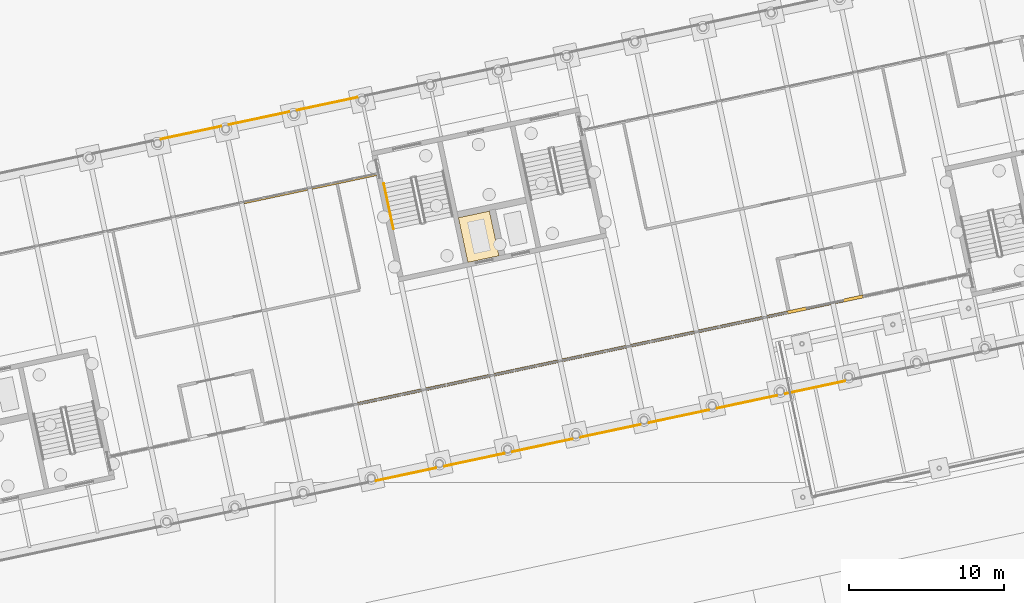
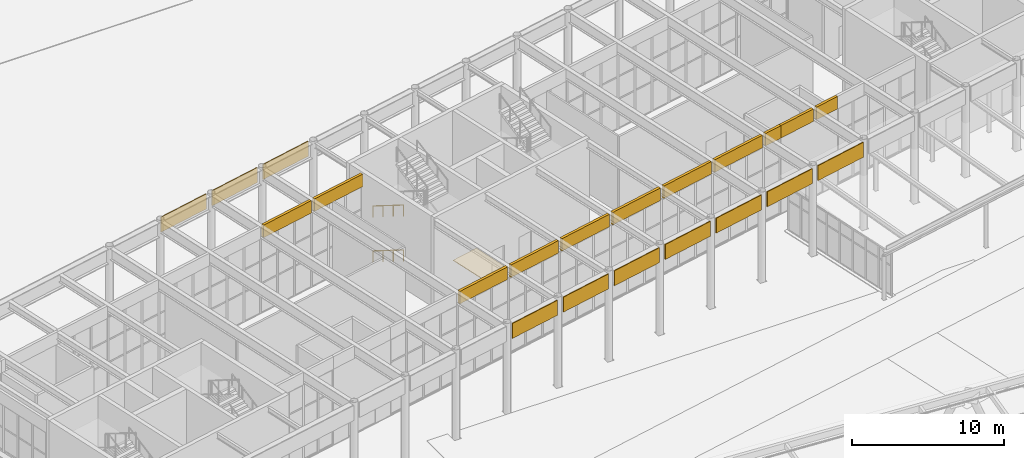
# One storey, part 205 of 239: 22 coverings, 2 railings.
"""IFC4 building model written with IfcOpenShell, lengths in metres."""

from ifc_helpers import new_model, si_unit, direction, frame, origin, origin_2d, place, context, subcontext, project, spatial, polyline, rectangle, circle, outline, extrude, material, layer, layer_set, type_object, element, save


model = new_model("IFC4")

# Units and contexts
model_context = context("Model", 3, precision=1e-05, world=origin(), true_north=direction((0.0, 1.0)))
body_context = subcontext(model_context, "Body", "Model", "MODEL_VIEW")
ifc_project = project(units=[si_unit("LENGTHUNIT", "METRE"), si_unit("AREAUNIT", "SQUARE_METRE"), si_unit("VOLUMEUNIT", "CUBIC_METRE"), si_unit("PLANEANGLEUNIT", "RADIAN"), si_unit("MASSUNIT", "GRAM", prefix="KILO")], contexts=[model_context])

# Site, building, storey
site_placement = place(None, origin())
site = spatial("IfcSite", under=ifc_project, at=site_placement, CompositionType="ELEMENT")
building_placement = place(site_placement, origin())
building = spatial("IfcBuilding", under=site, at=building_placement, Name="Okhra Congress Centre", CompositionType="ELEMENT")
storey_placement = place(building_placement, origin())
storey = spatial("IfcBuildingStorey", under=building, at=storey_placement, Name="L00", CompositionType="ELEMENT", Elevation=0.0)

# Coverings
ifc_material_1 = material(Name="Dark bronze anodised aluminium fascia panel", Category="aluminium")
ifc_layer_1 = layer(ifc_material_1, 0.06005859375)
ifc_layer_set_1 = layer_set([ifc_layer_1], Name="Dark bronze fascia strip 60")
covering_type_1 = type_object("IfcCoveringType", Name="Dark bronze fascia strip 60", PredefinedType="CLADDING", material=ifc_layer_set_1)
for number, where, z_axis, x_axis, name in (
    (1, (98.472900390625, 34.536865234375, 5.85009765625), (0.0, 0.0, 1.0), (0.978147600734, 0.207911690818, 0.0), "Girder fascia strip"),
    (2, (102.87451171875, 35.472412109375, 5.85009765625), (0.0, 0.0, 1.0), (0.978147600734, 0.207911690818, 0.0), "Girder fascia strip"),
    (3, (107.2763671875, 36.408203125, 5.85009765625), (0.0, 0.0, 1.0), (0.978147600734, 0.207911690818, 0.0), "Girder fascia strip"),
    (4, (111.677978515625, 37.34375, 5.85009765625), (0.0, 0.0, 1.0), (0.978147600734, 0.207911690818, 0.0), "Girder fascia strip"),
    (5, (116.07958984375, 38.279296875, 5.85009765625), (0.0, 0.0, 1.0), (0.978147600734, 0.207911690818, 0.0), "Girder fascia strip"),
    (6, (120.481201171875, 39.21484375, 5.85009765625), (0.0, 0.0, 1.0), (0.978147600734, 0.207911690818, 0.0), "Girder fascia strip"),
    (7, (124.883056640625, 40.150390625, 5.85009765625), (0.0, 0.0, 1.0), (0.978147600734, 0.207911690818, 0.0), "Girder fascia strip"),
    (8, (84.584228515625, 56.591064453125, 5.85009765625), (0.0, 0.0, 1.0), (0.978147600734, 0.207911690818, 0.0), "Girder fascia strip"),
    (9, (88.98583984375, 57.52685546875, 5.85009765625), (0.0, 0.0, 1.0), (0.978147600734, 0.207911690818, 0.0), "Girder fascia strip"),
    (10, (93.387451171875, 58.46240234375, 5.85009765625), (0.0, 0.0, 1.0), (0.978147600734, 0.207911690818, 0.0), "Girder fascia strip"),
):
    element("IfcCovering", number, at=place(storey_placement, frame(where, z_axis=z_axis, x_axis=x_axis)), inside=storey, type_object=covering_type_1, Name=name, PredefinedType="CLADDING", context=body_context, shape_type="SweptSolid", body=[
        extrude(rectangle(XDim=3.991943359375, YDim=0.06005859375, at=origin_2d()), origin(), (0.0, 0.0, 1.0), 1.199951171875),
    ])
ifc_material_2 = material(Name="Insulated metal sandwich panel (mineral wool core)")
ifc_layer_2 = layer(ifc_material_2, 0.199951171875)
ifc_layer_set_2 = layer_set([ifc_layer_2], Name="Insulated fascia cladding panel 200")
covering_type_2 = type_object("IfcCoveringType", Name="Insulated fascia cladding panel 200", PredefinedType="CLADDING", material=ifc_layer_set_2)
for number, where, z_axis, x_axis, name in (
    (11, (97.41162109375, 39.5302734375, 6.050048828125), (0.0, 0.0, 1.0), (0.978147600734, 0.207911690818, 0.0), "Fascia over glazing"),
    (12, (101.813232421875, 40.4658203125, 6.050048828125), (0.0, 0.0, 1.0), (0.978147600734, 0.207911690818, 0.0), "Fascia over glazing"),
    (13, (106.21484375, 41.401611328125, 6.050048828125), (0.0, 0.0, 1.0), (0.978147600734, 0.207911690818, 0.0), "Fascia over glazing"),
    (14, (110.616455078125, 42.337158203125, 6.050048828125), (0.0, 0.0, 1.0), (0.978147600734, 0.207911690818, 0.0), "Fascia over glazing"),
    (15, (115.018310546875, 43.272705078125, 6.050048828125), (0.0, 0.0, 1.0), (0.978147600734, 0.207911690818, 0.0), "Fascia over glazing"),
    (16, (119.419921875, 44.208251953125, 6.050048828125), (0.0, 0.0, 1.0), (0.978147600734, 0.207911690818, 0.0), "Fascia over glazing"),
):
    element("IfcCovering", number, at=place(storey_placement, frame(where, z_axis=z_axis, x_axis=x_axis)), inside=storey, type_object=covering_type_2, Name=name, PredefinedType="CLADDING", context=body_context, shape_type="SweptSolid", body=[
        extrude(rectangle(XDim=4.199951171875, YDim=0.199951171875, at=origin_2d()), origin(), (0.0, 0.0, 1.0), 1.0),
    ])
covering_1_placement = place(storey_placement, frame((122.427734375, 44.84765625, 6.050048828125), z_axis=(0.0, 0.0, 1.0), x_axis=(0.978147600734, 0.207911690818, 0.0)))
element("IfcCovering", 17, at=covering_1_placement, inside=storey, type_object=covering_type_2, Name="Fascia over glazing", PredefinedType="CLADDING", context=body_context, shape_type="SweptSolid", body=[
    extrude(rectangle(XDim=1.35009765625, YDim=0.199951171875, at=origin_2d()), origin(), (0.0, 0.0, 1.0), 1.0),
])
covering_2_placement = place(storey_placement, frame((90.047119140625, 52.533447265625, 6.050048828125), z_axis=(0.0, 0.0, 1.0), x_axis=(0.978147600734, 0.207911690818, 0.0)))
element("IfcCovering", 18, at=covering_2_placement, inside=storey, type_object=covering_type_2, Name="Fascia over glazing", PredefinedType="CLADDING", context=body_context, shape_type="SweptSolid", body=[
    extrude(rectangle(XDim=4.199951171875, YDim=0.199951171875, at=origin_2d()), origin(), (0.0, 0.0, 1.0), 1.0),
])
covering_3_placement = place(storey_placement, frame((94.473388671875, 53.47412109375, 6.050048828125), z_axis=(0.0, 0.0, 1.0), x_axis=(0.978147600734, 0.207911690818, 0.0)))
element("IfcCovering", 19, at=covering_3_placement, inside=storey, type_object=covering_type_2, Name="Fascia over glazing", PredefinedType="CLADDING", context=body_context, shape_type="SweptSolid", body=[
    extrude(rectangle(XDim=4.25, YDim=0.199951171875, at=origin_2d()), origin(), (0.0, 0.0, 1.0), 1.0),
])
covering_4_placement = place(storey_placement, frame((124.481689453125, 45.2841796875, 6.050048828125), z_axis=(0.0, 0.0, 1.0), x_axis=(0.978147600734, 0.207911690818, 0.0)))
element("IfcCovering", 20, at=covering_4_placement, inside=storey, type_object=covering_type_2, Name="Fascia over glazing", PredefinedType="CLADDING", context=body_context, shape_type="SweptSolid", body=[
    extrude(rectangle(XDim=2.85009765625, YDim=0.199951171875, at=origin_2d()), origin(), (0.0, 0.0, 1.0), 1.0),
])
covering_5_placement = place(storey_placement, frame((127.073974609375, 45.835205078125, 6.050048828125), z_axis=(0.0, 0.0, 1.0), x_axis=(0.978147600734, 0.207911690818, 0.0)))
element("IfcCovering", 21, at=covering_5_placement, inside=storey, type_object=covering_type_2, Name="Fascia over glazing", PredefinedType="CLADDING", context=body_context, shape_type="SweptSolid", body=[
    extrude(rectangle(XDim=1.85009765625, YDim=0.199951171875, at=origin_2d()), origin(), (0.0, 0.0, 1.0), 1.0),
])
ifc_material_3 = material(Name="Compacted engineered fill with topsoil and grass or paving bed")
ifc_layer_3 = layer(ifc_material_3, 0.050048828125)
ifc_layer_set_3 = layer_set([ifc_layer_3], Name="Site ground surface (engineered fill and landscape)")
covering_type_3 = type_object("IfcCoveringType", Name="Site ground surface (engineered fill and landscape)", PredefinedType="FLOORING", material=ifc_layer_set_3)
covering_6_placement = place(storey_placement, frame((0.0, 0.0, -0.10009765625)))
element("IfcCovering", 22, at=covering_6_placement, inside=storey, type_object=covering_type_3, Name="Site ground surface (engineered fill and landscape) 9", PredefinedType="FLOORING", context=body_context, shape_type="SweptSolid", body=[
    extrude(outline(polyline([(104.469482421875, 48.647705078125), (103.8564453125, 51.531982421875), (101.8525390625, 51.10595703125), (102.465576171875, 48.2216796875), (104.469482421875, 48.647705078125)])), origin(), (0.0, 0.0, 1.0), 0.050048828125),
])

# Railings
ifc_material_4 = material(Name="Painted steel tube handrail on wall brackets", Category="steel")
railing_type = type_object("IfcRailingType", Name="Steel handrail 900", PredefinedType="HANDRAIL", material=ifc_material_4)
railing_1_placement = place(storey_placement, frame((97.039794921875, 53.303955078125, 0.16357421875)))
element("IfcRailing", 23, at=railing_1_placement, inside=storey, type_object=railing_type, Name="L00 BS2A stair handrail 1", PredefinedType="HANDRAIL", context=body_context, shape_type="SweptSolid", body=[
    extrude(circle(Radius=0.02392578125, at=origin_2d()), frame((0.0, 0.0, 0.8759765625), z_axis=(0.182539774255, -0.858687102456, 0.478890061383), x_axis=(0.978142921837, 0.207933702079, 0.0)), (0.0, 0.0, 1.0), 3.417236328125),
    extrude(circle(Radius=0.02099609375, at=origin_2d()), origin(), (0.0, 0.0, 1.0), 0.851806640625),
    extrude(circle(Radius=0.02099609375, at=origin_2d()), frame((0.2080078125, -0.97802734375, 0.54541015625)), (0.0, 0.0, 1.0), 0.851806640625),
    extrude(circle(Radius=0.02099609375, at=origin_2d()), frame((0.415771484375, -1.956298828125, 1.091064453125)), (0.0, 0.0, 1.0), 0.851806640625),
    extrude(circle(Radius=0.02099609375, at=origin_2d()), frame((0.623779296875, -2.934326171875, 1.636474609375)), (0.0, 0.0, 1.0), 0.851806640625),
])
railing_2_placement = place(storey_placement, frame((97.039794921875, 53.303955078125, 3.763671875)))
element("IfcRailing", 24, at=railing_2_placement, inside=storey, type_object=railing_type, Name="L00 BS2A stair handrail 3", PredefinedType="HANDRAIL", context=body_context, shape_type="SweptSolid", body=[
    extrude(circle(Radius=0.02392578125, at=origin_2d()), frame((0.0, 0.0, 0.8759765625), z_axis=(0.182546019505, -0.858716480796, 0.478834999109), x_axis=(0.978142921837, 0.207933702079, 0.0)), (0.0, 0.0, 1.0), 3.4169921875),
    extrude(circle(Radius=0.02099609375, at=origin_2d()), origin(), (0.0, 0.0, 1.0), 0.851806640625),
    extrude(circle(Radius=0.02099609375, at=origin_2d()), frame((0.2080078125, -0.97802734375, 0.54541015625)), (0.0, 0.0, 1.0), 0.851806640625),
    extrude(circle(Radius=0.02099609375, at=origin_2d()), frame((0.415771484375, -1.956298828125, 1.0908203125)), (0.0, 0.0, 1.0), 0.851806640625),
    extrude(circle(Radius=0.02099609375, at=origin_2d()), frame((0.623779296875, -2.934326171875, 1.63623046875)), (0.0, 0.0, 1.0), 0.851806640625),
])

save(model, "model.ifc")
